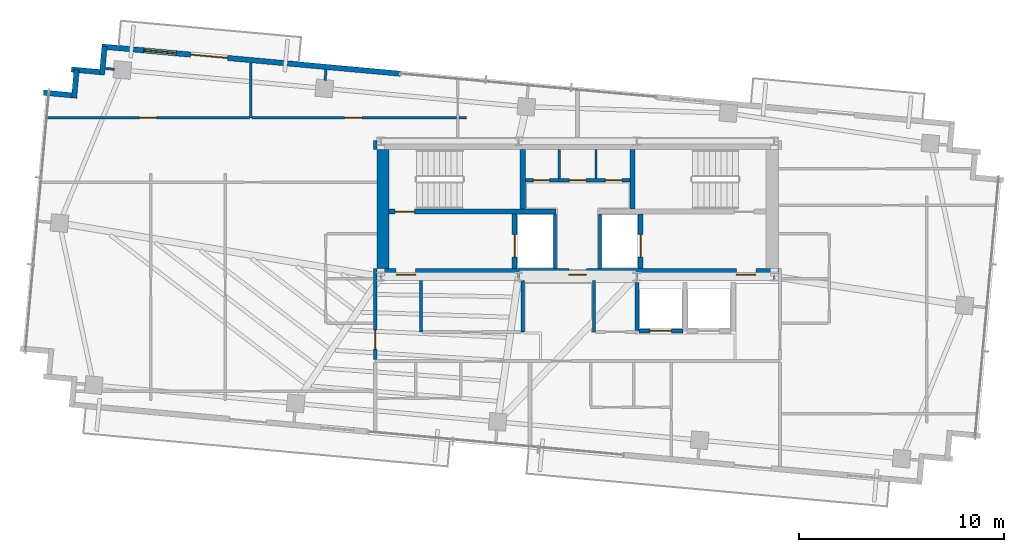
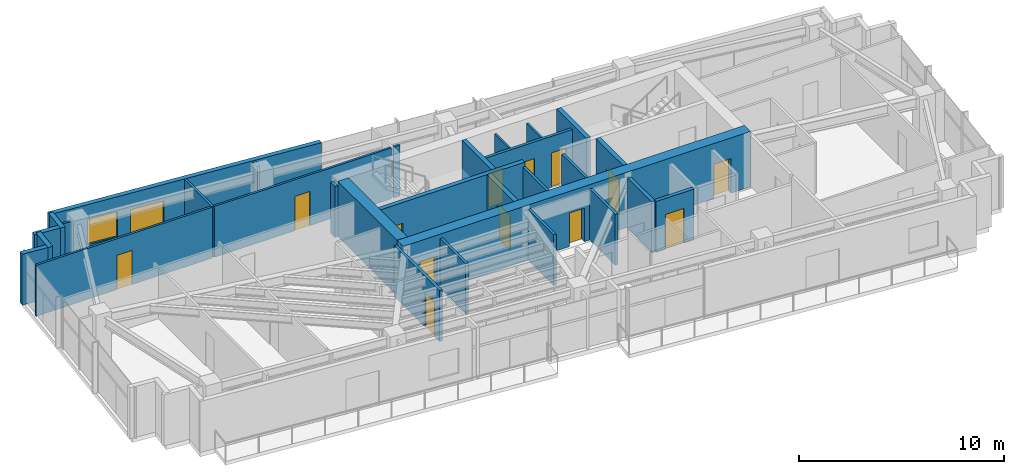
# One storey, part 17 of 22: 30 walls, 14 doors, 1 window, 15 openings.
"""IFC4 building model written with IfcOpenShell, lengths in metres."""

from ifc_helpers import new_model, si_unit, direction, frame, frame_2d, origin, place, context, subcontext, project, spatial, rectangle, extrude, source, transform, mapped, material, layer, layer_set, type_object, type_shapes, element, fill, save


model = new_model("IFC4")

# Units and contexts
model_context = context("Model", 3, precision=1e-05, world=origin(), true_north=direction((0.0, 1.0)))
body_context = subcontext(model_context, "Body", "Model", "MODEL_VIEW")
ifc_project = project(units=[si_unit("LENGTHUNIT", "METRE"), si_unit("AREAUNIT", "SQUARE_METRE"), si_unit("VOLUMEUNIT", "CUBIC_METRE"), si_unit("PLANEANGLEUNIT", "RADIAN"), si_unit("MASSUNIT", "GRAM", prefix="KILO")], contexts=[model_context])

# Site, building, storey
site_placement = place(None, origin())
site = spatial("IfcSite", under=ifc_project, at=site_placement, CompositionType="ELEMENT")
building_placement = place(site_placement, origin())
building = spatial("IfcBuilding", under=site, at=building_placement, Name="Astriad Promenade Condominiums", CompositionType="ELEMENT")
storey_placement = place(building_placement, frame((0.0, 0.0, 219.89990234375)))
storey = spatial("IfcBuildingStorey", under=building, at=storey_placement, Name="L63", CompositionType="ELEMENT", Elevation=219.89990234375)

# Wall, openings, doors
ifc_material_1 = material(Name="Concrete C50/60", Category="concrete")
ifc_layer_1 = layer(ifc_material_1, 0.60009765625)
ifc_layer_set_1 = layer_set([ifc_layer_1], Name="Concrete C50/60")
wall_type_1 = type_object("IfcWallType", Name="CW-SHEAR-600", PredefinedType="SHEAR", material=ifc_layer_set_1)
wall_1_placement = place(storey_placement, frame((26.199951171875, 17.5, 0.0), z_axis=(0.0, 0.0, 1.0), x_axis=(1.0, 0.0, 0.0)))
wall_1 = element("IfcWall", 1, at=wall_1_placement, inside=storey, type_object=wall_type_1, Name="CW-CORE-S-L63", PredefinedType="SHEAR", context=body_context, shape_type="SweptSolid", body=[
    extrude(rectangle(XDim=19.60009765625, YDim=0.60009765625, at=frame_2d((9.800048828125, 0.0))), origin(), (0.0, 0.0, 1.0), 3.300048828125),
])
opening_1_placement = place(wall_1_placement, frame((0.949951171875, 0.0, 0.0)))
opening_1 = element("IfcOpeningElement", 2, at=opening_1_placement, cuts=wall_1, Name="Opening FD90-ST-095", PredefinedType="OPENING", context=body_context, shape_type="SweptSolid", body=[
    extrude(rectangle(XDim=0.949951171875, YDim=2.06005859375, at=frame_2d((0.47509765625, 1.030029296875))), frame((0.0, 0.31005859375, 0.0), z_axis=(0.0, -1.0, 0.0), x_axis=(1.0, 0.0, 0.0)), (0.0, 0.0, 1.0), 0.6201171875),
])
opening_2_placement = place(wall_1_placement, frame((9.3798828125, 0.0, 0.0)))
opening_2 = element("IfcOpeningElement", 3, at=opening_2_placement, cuts=wall_1, Name="Opening FD60-ULOW-085", PredefinedType="OPENING", context=body_context, shape_type="SweptSolid", body=[
    extrude(rectangle(XDim=0.85009765625, YDim=2.0, at=frame_2d((0.425048828125, 1.0))), frame((0.0, 0.31005859375, 0.0), z_axis=(0.0, -1.0, 0.0), x_axis=(1.0, 0.0, 0.0)), (0.0, 0.0, 1.0), 0.6201171875),
])
opening_3_placement = place(wall_1_placement, frame((17.550048828125, 0.0, 0.0)))
opening_3 = element("IfcOpeningElement", 4, at=opening_3_placement, cuts=wall_1, Name="Opening FD90-ST-095", PredefinedType="OPENING", context=body_context, shape_type="SweptSolid", body=[
    extrude(rectangle(XDim=0.949951171875, YDim=2.06005859375, at=frame_2d((0.47509765625, 1.030029296875))), frame((0.0, 0.31005859375, 0.0), z_axis=(0.0, -1.0, 0.0), x_axis=(1.0, 0.0, 0.0)), (0.0, 0.0, 1.0), 0.6201171875),
])
ifc_material_2 = material(Name="Fire-Rated Hollow Metal Stair Door")
door_type_1 = type_object("IfcDoorType", Name="FD90-ST-095", OperationType="NOTDEFINED", PredefinedType="DOOR", material=ifc_material_2)
shared_shape_1 = source(origin(), body_context, "Body", "SweptSolid", [
    extrude(rectangle(XDim=0.949951171875, YDim=2.06005859375, at=frame_2d((0.47509765625, 1.030029296875))), frame((0.0, 0.02490234375, 0.0), z_axis=(0.0, -1.0, 0.0), x_axis=(1.0, 0.0, 0.0)), (0.0, 0.0, 1.0), 0.050048828125),
])
type_shapes(door_type_1, [shared_shape_1])
door_1_placement = place(opening_1_placement, origin())
door_1 = element("IfcDoor", 5, at=door_1_placement, inside=storey, type_object=door_type_1, Name="D-FFW-L63", OperationType="SINGLE_SWING_LEFT", OverallHeight=2.06005859375, OverallWidth=0.949951171875, PredefinedType="DOOR", context=body_context, shape_type="MappedRepresentation", body=[
    mapped(shared_shape_1, transform((0.0, 0.0, 0.0), scale=1.0)),
])
fill(opening_1, door_1)
door_2_placement = place(opening_3_placement, origin())
door_2 = element("IfcDoor", 6, at=door_2_placement, inside=storey, type_object=door_type_1, Name="D-FFE-L63", OperationType="SINGLE_SWING_RIGHT", OverallHeight=2.06005859375, OverallWidth=0.949951171875, PredefinedType="DOOR", context=body_context, shape_type="MappedRepresentation", body=[
    mapped(shared_shape_1, transform((0.0, 0.0, 0.0), scale=1.0)),
])
fill(opening_3, door_2)
ifc_material_3 = material(Name="Solid-Core Low-Headroom Fire Door")
door_type_2 = type_object("IfcDoorType", Name="FD60-ULOW-085", OperationType="NOTDEFINED", PredefinedType="DOOR", material=ifc_material_3)
shared_shape_2 = source(origin(), body_context, "Body", "SweptSolid", [
    extrude(rectangle(XDim=0.85009765625, YDim=2.0, at=frame_2d((0.425048828125, 1.0))), frame((0.0, 0.02490234375, 0.0), z_axis=(0.0, -1.0, 0.0), x_axis=(1.0, 0.0, 0.0)), (0.0, 0.0, 1.0), 0.050048828125),
])
type_shapes(door_type_2, [shared_shape_2])
door_3_placement = place(opening_2_placement, origin())
door_3 = element("IfcDoor", 7, at=door_3_placement, inside=storey, type_object=door_type_2, Name="D-CSL-L63", OperationType="SINGLE_SWING_RIGHT", OverallHeight=2.0, OverallWidth=0.85009765625, PredefinedType="DOOR", context=body_context, shape_type="MappedRepresentation", body=[
    mapped(shared_shape_2, transform((0.0, 0.0, 0.0), scale=1.0)),
])
fill(opening_2, door_3)

# Wall
wall_2_placement = place(storey_placement, frame((26.5, 17.802001953125, 0.0), z_axis=(0.0, 0.0, 1.0), x_axis=(0.0, 1.0, 0.0)))
element("IfcWall", 8, at=wall_2_placement, inside=storey, type_object=wall_type_1, Name="CW-CORE-W-L63", PredefinedType="SHEAR", context=body_context, shape_type="SweptSolid", body=[
    extrude(rectangle(XDim=5.7958984375, YDim=0.60009765625, at=frame_2d((2.89794921875, 0.0))), origin(), (0.0, 0.0, 1.0), 3.300048828125),
])

# Wall, opening, door
ifc_layer_2 = layer(ifc_material_1, 0.25)
ifc_layer_set_2 = layer_set([ifc_layer_2], Name="Concrete C50/60")
wall_type_2 = type_object("IfcWallType", Name="WALL-CORE-INT-250", PredefinedType="SOLIDWALL", material=ifc_layer_set_2)
wall_3_placement = place(storey_placement, frame((26.802001953125, 20.574951171875, 0.0), z_axis=(0.0, 0.0, 1.0), x_axis=(1.0, 0.0, 0.0)))
wall_3 = element("IfcWall", 9, at=wall_3_placement, inside=storey, type_object=wall_type_2, Name="CW-INT-H1-L63", PredefinedType="SOLIDWALL", context=body_context, shape_type="SweptSolid", body=[
    extrude(rectangle(XDim=8.14794921875, YDim=0.25, at=frame_2d((4.073974609375, 0.0))), origin(), (0.0, 0.0, 1.0), 3.300048828125),
])
opening_4_placement = place(wall_3_placement, frame((0.298095703125, 0.0, 0.0)))
opening_4 = element("IfcOpeningElement", 10, at=opening_4_placement, cuts=wall_3, Name="Opening FD90-ST-095", PredefinedType="OPENING", context=body_context, shape_type="SweptSolid", body=[
    extrude(rectangle(XDim=0.949951171875, YDim=2.06005859375, at=frame_2d((0.47509765625, 1.030029296875))), frame((0.0, 0.135009765625, 0.0), z_axis=(0.0, -1.0, 0.0), x_axis=(1.0, 0.0, 0.0)), (0.0, 0.0, 1.0), 0.27001953125),
])
door_4_placement = place(opening_4_placement, origin())
door_4 = element("IfcDoor", 11, at=door_4_placement, inside=storey, type_object=door_type_1, Name="D-ST1-L63", OperationType="SINGLE_SWING_LEFT", OverallHeight=2.06005859375, OverallWidth=0.949951171875, PredefinedType="DOOR", context=body_context, shape_type="MappedRepresentation", body=[
    mapped(shared_shape_1, transform((0.0, 0.0, 0.0), scale=1.0)),
])
fill(opening_4, door_4)

# Walls
for number, where, z_axis, x_axis, name in (
    (12, (33.324951171875, 20.701904296875, 0.0), (0.0, 0.0, 1.0), (0.0, 1.0, 0.0), "CW-ST1-E-L63"),
    (13, (38.675048828125, 20.701904296875, 0.0), (0.0, 0.0, 1.0), (0.0, 1.0, 0.0), "CW-ST2-W-L63"),
):
    element("IfcWall", number, at=place(storey_placement, frame(where, z_axis=z_axis, x_axis=x_axis)), inside=storey, type_object=wall_type_2, Name=name, PredefinedType="SOLIDWALL", context=body_context, shape_type="SweptSolid", body=[
        extrude(rectangle(XDim=2.89599609375, YDim=0.25, at=frame_2d((1.447998046875, 0.0))), origin(), (0.0, 0.0, 1.0), 3.300048828125),
    ])

# Wall, opening, door
wall_4_placement = place(storey_placement, frame((32.925048828125, 17.802001953125, 0.0), z_axis=(0.0, 0.0, 1.0), x_axis=(0.0, 1.0, 0.0)))
wall_4 = element("IfcWall", 14, at=wall_4_placement, inside=storey, type_object=wall_type_2, Name="CW-FFL1-W-L63", PredefinedType="SOLIDWALL", context=body_context, shape_type="SweptSolid", body=[
    extrude(rectangle(XDim=2.64599609375, YDim=0.25, at=frame_2d((1.322998046875, 0.0))), origin(), (0.0, 0.0, 1.0), 3.300048828125),
])
opening_5_placement = place(wall_4_placement, frame((0.548095703125, 0.0, 0.0)))
opening_5 = element("IfcOpeningElement", 15, at=opening_5_placement, cuts=wall_4, Name="Opening LD-FFL-1122", PredefinedType="OPENING", context=body_context, shape_type="SweptSolid", body=[
    extrude(rectangle(XDim=1.10009765625, YDim=2.080078125, at=frame_2d((0.550048828125, 1.0400390625))), frame((0.0, 0.135009765625, 0.0), z_axis=(0.0, -1.0, 0.0), x_axis=(1.0, 0.0, 0.0)), (0.0, 0.0, 1.0), 0.27001953125),
])
ifc_material_4 = material(Name="Brushed Stainless Steel Fire Elevator Landing Door", Category="steel")
door_type_3 = type_object("IfcDoorType", Name="LD-FFL-1122", OperationType="NOTDEFINED", PredefinedType="DOOR", material=ifc_material_4)
shared_shape_3 = source(origin(), body_context, "Body", "SweptSolid", [
    extrude(rectangle(XDim=1.10009765625, YDim=2.080078125, at=frame_2d((0.550048828125, 1.0400390625))), frame((0.0, 0.02490234375, 0.0), z_axis=(0.0, -1.0, 0.0), x_axis=(1.0, 0.0, 0.0)), (0.0, 0.0, 1.0), 0.050048828125),
])
type_shapes(door_type_3, [shared_shape_3])
door_5_placement = place(opening_5_placement, origin())
door_5 = element("IfcDoor", 16, at=door_5_placement, inside=storey, type_object=door_type_3, Name="Elevator Landing Door FFL-1 (L63)", OperationType="SLIDING_TO_LEFT", OverallHeight=2.080078125, OverallWidth=1.10009765625, PredefinedType="DOOR", context=body_context, shape_type="MappedRepresentation", body=[
    mapped(shared_shape_3, transform((0.0, 0.0, 0.0), scale=1.0)),
])
fill(opening_5, door_5)

wall_5_placement = place(storey_placement, frame((39.074951171875, 17.802001953125, 0.0), z_axis=(0.0, 0.0, 1.0), x_axis=(0.0, 1.0, 0.0)))
wall_5 = element("IfcWall", 17, at=wall_5_placement, inside=storey, type_object=wall_type_2, Name="CW-FFL2-E-L63", PredefinedType="SOLIDWALL", context=body_context, shape_type="SweptSolid", body=[
    extrude(rectangle(XDim=2.64599609375, YDim=0.25, at=frame_2d((1.322998046875, 0.0))), origin(), (0.0, 0.0, 1.0), 3.300048828125),
])
opening_6_placement = place(wall_5_placement, frame((0.548095703125, 0.0, 0.0)))
opening_6 = element("IfcOpeningElement", 18, at=opening_6_placement, cuts=wall_5, Name="Opening LD-FFL-1122", PredefinedType="OPENING", context=body_context, shape_type="SweptSolid", body=[
    extrude(rectangle(XDim=1.10009765625, YDim=2.080078125, at=frame_2d((0.550048828125, 1.0400390625))), frame((0.0, 0.135009765625, 0.0), z_axis=(0.0, -1.0, 0.0), x_axis=(1.0, 0.0, 0.0)), (0.0, 0.0, 1.0), 0.27001953125),
])
door_6_placement = place(opening_6_placement, origin())
door_6 = element("IfcDoor", 19, at=door_6_placement, inside=storey, type_object=door_type_3, Name="Elevator Landing Door FFL-2 (L63)", OperationType="SLIDING_TO_RIGHT", OverallHeight=2.080078125, OverallWidth=1.10009765625, PredefinedType="DOOR", context=body_context, shape_type="MappedRepresentation", body=[
    mapped(shared_shape_3, transform((0.0, 0.0, 0.0), scale=1.0)),
])
fill(opening_6, door_6)

# Walls
ifc_material_5 = material(Name="Fire-Rated Gypsum Partition")
ifc_layer_3 = layer(ifc_material_5, 0.159912109375)
ifc_layer_set_3 = layer_set([ifc_layer_3], Name="Fire-Rated Gypsum Partition")
wall_type_3 = type_object("IfcWallType", Name="WALL-CORR-160", PredefinedType="PARTITIONING", material=ifc_layer_set_3)
for number, where, z_axis, x_axis, name in (
    (20, (34.89990234375, 17.802001953125, 0.0), (0.0, 0.0, 1.0), (0.0, 1.0, 0.0), "CW-FFL1-E-L63"),
    (21, (37.10009765625, 17.802001953125, 0.0), (0.0, 0.0, 1.0), (0.0, 1.0, 0.0), "CW-FFL2-W-L63"),
):
    element("IfcWall", number, at=place(storey_placement, frame(where, z_axis=z_axis, x_axis=x_axis)), inside=storey, type_object=wall_type_3, Name=name, PredefinedType="PARTITIONING", context=body_context, shape_type="SweptSolid", body=[
        extrude(rectangle(XDim=2.64599609375, YDim=0.159912109375, at=frame_2d((1.322998046875, 0.0))), origin(), (0.0, 0.0, 1.0), 3.0400390625),
    ])

# Wall, openings, doors
wall_6_placement = place(storey_placement, frame((33.451904296875, 22.10009765625, 0.0), z_axis=(0.0, 0.0, 1.0), x_axis=(1.0, 0.0, 0.0)))
wall_6 = element("IfcWall", 22, at=wall_6_placement, inside=storey, type_object=wall_type_3, Name="CW-AUX-N-L63", PredefinedType="PARTITIONING", context=body_context, shape_type="SweptSolid", body=[
    extrude(rectangle(XDim=5.09619140625, YDim=0.159912109375, at=frame_2d((2.548095703125, 0.0))), origin(), (0.0, 0.0, 1.0), 3.0400390625),
])
opening_7_placement = place(wall_6_placement, frame((0.387939453125, 0.0, 0.0)))
opening_7 = element("IfcOpeningElement", 23, at=opening_7_placement, cuts=wall_6, Name="Opening FD60-SV-080", PredefinedType="OPENING", context=body_context, shape_type="SweptSolid", body=[
    extrude(rectangle(XDim=0.800048828125, YDim=2.050048828125, at=frame_2d((0.39990234375, 1.02490234375))), frame((0.0, 0.08984375, 0.0), z_axis=(0.0, -1.0, 0.0), x_axis=(1.0, 0.0, 0.0)), (0.0, 0.0, 1.0), 0.179931640625),
])
opening_8_placement = place(wall_6_placement, frame((2.14794921875, 0.0, 0.0)))
opening_8 = element("IfcOpeningElement", 24, at=opening_8_placement, cuts=wall_6, Name="Opening FD60-SV-080", PredefinedType="OPENING", context=body_context, shape_type="SweptSolid", body=[
    extrude(rectangle(XDim=0.800048828125, YDim=2.050048828125, at=frame_2d((0.39990234375, 1.02490234375))), frame((0.0, 0.08984375, 0.0), z_axis=(0.0, -1.0, 0.0), x_axis=(1.0, 0.0, 0.0)), (0.0, 0.0, 1.0), 0.179931640625),
])
opening_9_placement = place(wall_6_placement, frame((3.907958984375, 0.0, 0.0)))
opening_9 = element("IfcOpeningElement", 25, at=opening_9_placement, cuts=wall_6, Name="Opening FD60-SV-080", PredefinedType="OPENING", context=body_context, shape_type="SweptSolid", body=[
    extrude(rectangle(XDim=0.800048828125, YDim=2.050048828125, at=frame_2d((0.39990234375, 1.02490234375))), frame((0.0, 0.08984375, 0.0), z_axis=(0.0, -1.0, 0.0), x_axis=(1.0, 0.0, 0.0)), (0.0, 0.0, 1.0), 0.179931640625),
])
ifc_material_6 = material(Name="Fire-Rated Riser Closet Door")
door_type_4 = type_object("IfcDoorType", Name="FD60-SV-080", OperationType="NOTDEFINED", PredefinedType="DOOR", material=ifc_material_6)
shared_shape_4 = source(origin(), body_context, "Body", "SweptSolid", [
    extrude(rectangle(XDim=0.800048828125, YDim=2.050048828125, at=frame_2d((0.39990234375, 1.02490234375))), frame((0.0, 0.02490234375, 0.0), z_axis=(0.0, -1.0, 0.0), x_axis=(1.0, 0.0, 0.0)), (0.0, 0.0, 1.0), 0.050048828125),
])
type_shapes(door_type_4, [shared_shape_4])
door_7_placement = place(opening_7_placement, origin())
door_7 = element("IfcDoor", 26, at=door_7_placement, inside=storey, type_object=door_type_4, Name="D-AUX1-L63", OperationType="SINGLE_SWING_LEFT", OverallHeight=2.050048828125, OverallWidth=0.800048828125, PredefinedType="DOOR", context=body_context, shape_type="MappedRepresentation", body=[
    mapped(shared_shape_4, transform((0.0, 0.0, 0.0), scale=1.0)),
])
fill(opening_7, door_7)
door_8_placement = place(opening_8_placement, origin())
door_8 = element("IfcDoor", 27, at=door_8_placement, inside=storey, type_object=door_type_4, Name="D-AUX2-L63", OperationType="SINGLE_SWING_RIGHT", OverallHeight=2.050048828125, OverallWidth=0.800048828125, PredefinedType="DOOR", context=body_context, shape_type="MappedRepresentation", body=[
    mapped(shared_shape_4, transform((0.0, 0.0, 0.0), scale=1.0)),
])
fill(opening_8, door_8)
door_9_placement = place(opening_9_placement, origin())
door_9 = element("IfcDoor", 28, at=door_9_placement, inside=storey, type_object=door_type_4, Name="D-AUX3-L63", OperationType="SINGLE_SWING_LEFT", OverallHeight=2.050048828125, OverallWidth=0.800048828125, PredefinedType="DOOR", context=body_context, shape_type="MappedRepresentation", body=[
    mapped(shared_shape_4, transform((0.0, 0.0, 0.0), scale=1.0)),
])
fill(opening_9, door_9)

# Wall, opening, door
wall_7_placement = place(storey_placement, frame((26.1201171875, 13.362060546875, 0.0), z_axis=(0.0, 0.0, 1.0), x_axis=(0.0, 1.0, 0.0)))
wall_7 = element("IfcWall", 29, at=wall_7_placement, inside=storey, type_object=wall_type_3, Name="PT-COR-W-L63-S2", PredefinedType="PARTITIONING", context=body_context, shape_type="SweptSolid", body=[
    extrude(rectangle(XDim=4.43994140625, YDim=0.159912109375, at=frame_2d((2.219970703125, 0.0))), origin(), (0.0, 0.0, 1.0), 3.0400390625),
])
opening_10_placement = place(wall_7_placement, frame((0.492919921875, 0.0, 0.0)))
opening_10 = element("IfcOpeningElement", 30, at=opening_10_placement, cuts=wall_7, Name="Opening FD60-APT-095", PredefinedType="OPENING", context=body_context, shape_type="SweptSolid", body=[
    extrude(rectangle(XDim=0.949951171875, YDim=2.06005859375, at=frame_2d((0.47509765625, 1.030029296875))), frame((0.0, 0.08984375, 0.0), z_axis=(0.0, -1.0, 0.0), x_axis=(1.0, 0.0, 0.0)), (0.0, 0.0, 1.0), 0.179931640625),
])
ifc_material_7 = material(Name="Solid-Core Acoustic Timber Residence Entry Door", Category="wood")
door_type_5 = type_object("IfcDoorType", Name="FD60-APT-095", OperationType="NOTDEFINED", PredefinedType="DOOR", material=ifc_material_7)
shared_shape_5 = source(origin(), body_context, "Body", "SweptSolid", [
    extrude(rectangle(XDim=0.949951171875, YDim=2.06005859375, at=frame_2d((0.47509765625, 1.030029296875))), frame((0.0, 0.02490234375, 0.0), z_axis=(0.0, -1.0, 0.0), x_axis=(1.0, 0.0, 0.0)), (0.0, 0.0, 1.0), 0.050048828125),
])
type_shapes(door_type_5, [shared_shape_5])
door_10_placement = place(opening_10_placement, origin())
door_10 = element("IfcDoor", 31, at=door_10_placement, inside=storey, type_object=door_type_5, Name="D-ENT-L63-W1", OperationType="SINGLE_SWING_LEFT", OverallHeight=2.06005859375, OverallWidth=0.949951171875, PredefinedType="DOOR", context=body_context, shape_type="MappedRepresentation", body=[
    mapped(shared_shape_5, transform((0.0, 0.0, 0.0), scale=1.0)),
])
fill(opening_10, door_10)

# Walls
wall_8_placement = place(storey_placement, frame((26.1201171875, 23.597900390625, 0.0), z_axis=(0.0, 0.0, 1.0), x_axis=(0.0, 1.0, 0.0)))
element("IfcWall", 32, at=wall_8_placement, inside=storey, type_object=wall_type_3, Name="PT-COR-W-L63-S3", PredefinedType="PARTITIONING", context=body_context, shape_type="SweptSolid", body=[
    extrude(rectangle(XDim=0.4521484375, YDim=0.159912109375, at=frame_2d((0.22607421875, 0.0))), origin(), (0.0, 0.0, 1.0), 3.0400390625),
])
for number, where, z_axis, x_axis, name in (
    (33, (28.360107421875, 14.699951171875, 0.0), (0.0, 0.0, 1.0), (0.0, 1.0, 0.0), "PT-Z3REC-W-L63"),
    (34, (33.320068359375, 14.699951171875, 0.0), (0.0, 0.0, 1.0), (0.0, 1.0, 0.0), "PT-Z3REC-E-L63"),
    (35, (36.800048828125, 14.699951171875, 0.0), (0.0, 0.0, 1.0), (0.0, 1.0, 0.0), "PT-Z3R2-W-L63"),
):
    element("IfcWall", number, at=place(storey_placement, frame(where, z_axis=z_axis, x_axis=x_axis)), inside=storey, type_object=wall_type_3, Name=name, PredefinedType="PARTITIONING", context=body_context, shape_type="SweptSolid", body=[
        extrude(rectangle(XDim=2.498046875, YDim=0.159912109375, at=frame_2d((1.2490234375, 0.0))), origin(), (0.0, 0.0, 1.0), 3.0400390625),
    ])
ifc_material_8 = material(Name="Precast concrete C50/60", Category="concrete")
ifc_layer_4 = layer(ifc_material_8, 0.260009765625)
ifc_layer_set_4 = layer_set([ifc_layer_4], Name="Precast concrete C50/60")
wall_type_4 = type_object("IfcWallType", Name="WALL-EXT-TWR-260", PredefinedType="STANDARD", material=ifc_layer_set_4)
for number, where, z_axis, x_axis, name in (
    (36, (9.93505859375, 26.376708984375, 0.0), (0.0, 0.0, 1.0), (0.995881721538, -0.090661991521, 0.0), "W-SER-L63-04"),
    (37, (11.427001953125, 26.110595703125, 0.0), (0.0, 0.0, 1.0), (0.090835571917, 0.995865904063, 0.0), "W-SER-L63-05"),
):
    element("IfcWall", number, at=place(storey_placement, frame(where, z_axis=z_axis, x_axis=x_axis)), inside=storey, type_object=wall_type_4, Name=name, PredefinedType="STANDARD", context=body_context, shape_type="SweptSolid", body=[
        extrude(rectangle(XDim=1.39501953125, YDim=0.260009765625, at=frame_2d((0.697509765625, 0.0))), origin(), (0.0, 0.0, 1.0), 3.0400390625),
    ])
wall_9_placement = place(storey_placement, frame((11.293212890625, 27.50830078125, 0.0), z_axis=(0.0, 0.0, 1.0), x_axis=(0.995883159782, -0.090646191665, 0.0)))
element("IfcWall", 38, at=wall_9_placement, inside=storey, type_object=wall_type_4, Name="W-SER-L63-06", PredefinedType="STANDARD", context=body_context, shape_type="SweptSolid", body=[
    extrude(rectangle(XDim=1.395263671875, YDim=0.260009765625, at=frame_2d((0.69775390625, 0.0))), origin(), (0.0, 0.0, 1.0), 3.0400390625),
])
wall_10_placement = place(storey_placement, frame((12.785400390625, 27.241943359375, 0.0), z_axis=(0.0, 0.0, 1.0), x_axis=(0.090472632758, 0.995898942023, 0.0)))
element("IfcWall", 39, at=wall_10_placement, inside=storey, type_object=wall_type_4, Name="W-SER-L63-07", PredefinedType="STANDARD", context=body_context, shape_type="SweptSolid", body=[
    extrude(rectangle(XDim=1.39501953125, YDim=0.260009765625, at=frame_2d((0.697509765625, 0.0))), origin(), (0.0, 0.0, 1.0), 3.0400390625),
])

# Wall, openings, door, window
wall_11_placement = place(storey_placement, frame((12.78076171875, 28.628173828125, 0.0), z_axis=(0.0, 0.0, 1.0), x_axis=(0.995884584572, -0.090630536861, 0.0)))
wall_11 = element("IfcWall", 40, at=wall_11_placement, inside=storey, type_object=wall_type_4, Name="W-EXT-L63-N1", PredefinedType="STANDARD", context=body_context, shape_type="SweptSolid", body=[
    extrude(rectangle(XDim=14.630126953125, YDim=0.260009765625, at=frame_2d((7.31494140625, 0.0))), origin(), (0.0, 0.0, 1.0), 3.0400390625),
])
opening_11_placement = place(wall_11_placement, frame((4.361083984375, 0.0, 0.0)))
opening_11 = element("IfcOpeningElement", 41, at=opening_11_placement, cuts=wall_11, Name="Opening BD-1822-SLD", PredefinedType="OPENING", context=body_context, shape_type="SweptSolid", body=[
    extrude(rectangle(XDim=1.800048828125, YDim=2.06005859375, at=frame_2d((0.89990234375, 1.030029296875))), frame((0.0, 0.139892578125, 0.0), z_axis=(0.0, -1.0, 0.0), x_axis=(1.0, 0.0, 0.0)), (0.0, 0.0, 1.0), 0.280029296875),
])
opening_12_placement = place(wall_11_placement, frame((2.050048828125, 0.0, 0.64990234375)))
opening_12 = element("IfcOpeningElement", 42, at=opening_12_placement, cuts=wall_11, Name="Opening WIN-TWR-1620", PredefinedType="OPENING", context=body_context, shape_type="SweptSolid", body=[
    extrude(rectangle(XDim=1.60009765625, YDim=1.5, at=frame_2d((0.800048828125, 0.75))), frame((0.0, 0.139892578125, 0.0), z_axis=(0.0, -1.0, 0.0), x_axis=(1.0, 0.0, 0.0)), (0.0, 0.0, 1.0), 0.280029296875),
])
ifc_material_9 = material(Name="Thermally Broken Aluminium Sliding Balcony Door", Category="aluminium")
door_type_6 = type_object("IfcDoorType", Name="BD-1822-SLD", OperationType="NOTDEFINED", PredefinedType="DOOR", material=ifc_material_9)
shared_shape_6 = source(origin(), body_context, "Body", "SweptSolid", [
    extrude(rectangle(XDim=1.800048828125, YDim=2.06005859375, at=frame_2d((0.89990234375, 1.030029296875))), frame((0.0, 0.02490234375, 0.0), z_axis=(0.0, -1.0, 0.0), x_axis=(1.0, 0.0, 0.0)), (0.0, 0.0, 1.0), 0.050048828125),
])
type_shapes(door_type_6, [shared_shape_6])
door_11_placement = place(opening_11_placement, origin())
door_11 = element("IfcDoor", 43, at=door_11_placement, inside=storey, type_object=door_type_6, Name="BD-L63-NW", OperationType="SLIDING_TO_LEFT", OverallHeight=2.06005859375, OverallWidth=1.800048828125, PredefinedType="DOOR", context=body_context, shape_type="MappedRepresentation", body=[
    mapped(shared_shape_6, transform((0.0, 0.0, 0.0), scale=1.0)),
])
fill(opening_11, door_11)
ifc_material_10 = material(Name="Dark Tinted Triple-Glazed Aluminium Window", Category="aluminium")
window_type = type_object("IfcWindowType", Name="WIN-TWR-1620", PartitioningType="SINGLE_PANEL", PredefinedType="WINDOW", material=ifc_material_10)
shared_shape_7 = source(origin(), body_context, "Body", "SweptSolid", [
    extrude(rectangle(XDim=1.60009765625, YDim=1.5, at=frame_2d((0.800048828125, 0.75))), frame((0.0, 0.030029296875, 0.0), z_axis=(0.0, -1.0, 0.0), x_axis=(1.0, 0.0, 0.0)), (0.0, 0.0, 1.0), 0.06005859375),
])
type_shapes(window_type, [shared_shape_7])
window_placement = place(opening_12_placement, origin())
window = element("IfcWindow", 44, at=window_placement, inside=storey, type_object=window_type, Name="WIN-L63-NW", OverallHeight=1.5, OverallWidth=1.60009765625, PartitioningType="SINGLE_PANEL", PredefinedType="WINDOW", context=body_context, shape_type="MappedRepresentation", body=[
    mapped(shared_shape_7, transform((0.0, 0.0, 0.0), scale=1.0)),
])
fill(opening_12, window)

# Walls
ifc_material_11 = material(Name="Acoustic Metal-Stud Gypsum Partition")
ifc_layer_5 = layer(ifc_material_11, 0.1201171875)
ifc_layer_set_5 = layer_set([ifc_layer_5], Name="Acoustic Metal-Stud Gypsum Partition")
wall_type_5 = type_object("IfcWallType", Name="WALL-PART-120", PredefinedType="PARTITIONING", material=ifc_layer_set_5)
for number, where, z_axis, x_axis, name in (
    (45, (35.10009765625, 22.181884765625, 0.0), (0.0, 0.0, 1.0), (0.0, 1.0, 0.0), "CW-AUX-V1-L63"),
    (46, (36.89990234375, 22.181884765625, 0.0), (0.0, 0.0, 1.0), (0.0, 1.0, 0.0), "CW-AUX-V2-L63"),
):
    element("IfcWall", number, at=place(storey_placement, frame(where, z_axis=z_axis, x_axis=x_axis)), inside=storey, type_object=wall_type_5, Name=name, PredefinedType="PARTITIONING", context=body_context, shape_type="SweptSolid", body=[
        extrude(rectangle(XDim=1.416015625, YDim=0.1201171875, at=frame_2d((0.7080078125, 0.0))), origin(), (0.0, 0.0, 1.0), 3.0400390625),
    ])
wall_12_placement = place(storey_placement, frame((20.044921875, 25.14208984375, 0.0), z_axis=(0.0, 0.0, 1.0), x_axis=(0.0, 1.0, 0.0)))
element("IfcWall", 47, at=wall_12_placement, inside=storey, type_object=wall_type_5, Name="PT-L63-W1-B1M", PredefinedType="PARTITIONING", context=body_context, shape_type="SweptSolid", body=[
    extrude(rectangle(XDim=2.6923828125, YDim=0.1201171875, at=frame_2d((1.34619140625, 0.0))), origin(), (0.0, 0.0, 1.0), 3.0400390625),
])

# Wall, opening, door
wall_13_placement = place(storey_placement, frame((10.03369140625, 25.14208984375, 0.0), z_axis=(0.0, 0.0, 1.0), x_axis=(1.0, 0.0, 0.0)))
wall_13 = element("IfcWall", 48, at=wall_13_placement, inside=storey, type_object=wall_type_5, Name="PT-L63-W1-B1", PredefinedType="PARTITIONING", context=body_context, shape_type="SweptSolid", body=[
    extrude(rectangle(XDim=9.94921875, YDim=0.1201171875, at=frame_2d((4.974609375, 0.0))), origin(), (0.0, 0.0, 1.0), 3.0400390625),
])
opening_13_placement = place(wall_13_placement, frame((4.573486328125, 0.0, 0.0)))
opening_13 = element("IfcOpeningElement", 49, at=opening_13_placement, cuts=wall_13, Name="Opening D-INT-085", PredefinedType="OPENING", context=body_context, shape_type="SweptSolid", body=[
    extrude(rectangle(XDim=0.85009765625, YDim=2.050048828125, at=frame_2d((0.425048828125, 1.02490234375))), frame((0.0, 0.070068359375, 0.0), z_axis=(0.0, -1.0, 0.0), x_axis=(1.0, 0.0, 0.0)), (0.0, 0.0, 1.0), 0.14013671875),
])
ifc_material_12 = material(Name="Painted Solid-Core Timber Room Door", Category="wood")
door_type_7 = type_object("IfcDoorType", Name="D-INT-085", OperationType="NOTDEFINED", PredefinedType="DOOR", material=ifc_material_12)
shared_shape_8 = source(origin(), body_context, "Body", "SweptSolid", [
    extrude(rectangle(XDim=0.85009765625, YDim=2.050048828125, at=frame_2d((0.425048828125, 1.02490234375))), frame((0.0, 0.02490234375, 0.0), z_axis=(0.0, -1.0, 0.0), x_axis=(1.0, 0.0, 0.0)), (0.0, 0.0, 1.0), 0.050048828125),
])
type_shapes(door_type_7, [shared_shape_8])
door_12_placement = place(opening_13_placement, origin())
door_12 = element("IfcDoor", 50, at=door_12_placement, inside=storey, type_object=door_type_7, Name="D-BD1-L63-W1", OperationType="SINGLE_SWING_LEFT", OverallHeight=2.050048828125, OverallWidth=0.85009765625, PredefinedType="DOOR", context=body_context, shape_type="MappedRepresentation", body=[
    mapped(shared_shape_8, transform((0.0, 0.0, 0.0), scale=1.0)),
])
fill(opening_13, door_12)

wall_14_placement = place(storey_placement, frame((20.10693359375, 25.14208984375, 0.0), z_axis=(0.0, 0.0, 1.0), x_axis=(1.0, 0.0, 0.0)))
wall_14 = element("IfcWall", 51, at=wall_14_placement, inside=storey, type_object=wall_type_5, Name="PT-L63-W1-B1-S2", PredefinedType="PARTITIONING", context=body_context, shape_type="SweptSolid", body=[
    extrude(rectangle(XDim=9.98095703125, YDim=0.1201171875, at=frame_2d((4.990478515625, 0.0))), origin(), (0.0, 0.0, 1.0), 3.0400390625),
])
opening_14_placement = place(wall_14_placement, frame((4.52587890625, 0.0, 0.0)))
opening_14 = element("IfcOpeningElement", 52, at=opening_14_placement, cuts=wall_14, Name="Opening D-INT-085", PredefinedType="OPENING", context=body_context, shape_type="SweptSolid", body=[
    extrude(rectangle(XDim=0.85009765625, YDim=2.050048828125, at=frame_2d((0.425048828125, 1.02490234375))), frame((0.0, 0.070068359375, 0.0), z_axis=(0.0, -1.0, 0.0), x_axis=(1.0, 0.0, 0.0)), (0.0, 0.0, 1.0), 0.14013671875),
])
door_13_placement = place(opening_14_placement, origin())
door_13 = element("IfcDoor", 53, at=door_13_placement, inside=storey, type_object=door_type_7, Name="D-BD1B-L63-W1", OperationType="SINGLE_SWING_RIGHT", OverallHeight=2.050048828125, OverallWidth=0.85009765625, PredefinedType="DOOR", context=body_context, shape_type="MappedRepresentation", body=[
    mapped(shared_shape_8, transform((0.0, 0.0, 0.0), scale=1.0)),
])
fill(opening_14, door_13)

# Walls
wall_15_placement = place(storey_placement, frame((30.2119140625, 25.14208984375, 0.0), z_axis=(0.0, 0.0, 1.0), x_axis=(1.0, 0.0, 0.0)))
element("IfcWall", 54, at=wall_15_placement, inside=storey, type_object=wall_type_5, Name="PT-L63-W1-B1-S3", PredefinedType="PARTITIONING", context=body_context, shape_type="SweptSolid", body=[
    extrude(rectangle(XDim=0.358154296875, YDim=0.1201171875, at=frame_2d((0.17919921875, 0.0))), origin(), (0.0, 0.0, 1.0), 3.0400390625),
])
wall_16_placement = place(storey_placement, frame((13.40283203125, 27.51708984375, 0.0), z_axis=(0.0, 0.0, 1.0), x_axis=(-0.995884462012, 0.090631883588, 0.0)))
element("IfcWall", 55, at=wall_16_placement, inside=storey, type_object=wall_type_5, Name="PT-PIL-L63-PC06-13", PredefinedType="PARTITIONING", context=body_context, shape_type="SweptSolid", body=[
    extrude(rectangle(XDim=0.4580078125, YDim=0.1201171875, at=frame_2d((0.22900390625, 0.0))), origin(), (0.0, 0.0, 1.0), 3.0400390625),
])
wall_17_placement = place(storey_placement, frame((23.6748046875, 26.9638671875, 0.0), z_axis=(0.0, 0.0, 1.0), x_axis=(0.090740281653, 0.995874591144, 0.0)))
element("IfcWall", 56, at=wall_17_placement, inside=storey, type_object=wall_type_5, Name="PT-PIL-L63-PC07-14", PredefinedType="PARTITIONING", context=body_context, shape_type="SweptSolid", body=[
    extrude(rectangle(XDim=0.5380859375, YDim=0.1201171875, at=frame_2d((0.26904296875, 0.0))), origin(), (0.0, 0.0, 1.0), 3.0400390625),
])
ifc_material_13 = material(Name="Gypsum Shaftliner Assembly")
ifc_layer_6 = layer(ifc_material_13, 0.199951171875)
ifc_layer_set_6 = layer_set([ifc_layer_6], Name="Gypsum Shaftliner Assembly")
wall_type_6 = type_object("IfcWallType", Name="WALL-SHAFT-200", PredefinedType="PARTITIONING", material=ifc_layer_set_6)
wall_18_placement = place(storey_placement, frame((38.89990234375, 14.75, 0.0), z_axis=(0.0, 0.0, 1.0), x_axis=(0.0, 1.0, 0.0)))
element("IfcWall", 57, at=wall_18_placement, inside=storey, type_object=wall_type_6, Name="PL-MH-DIV-L63", PredefinedType="PARTITIONING", context=body_context, shape_type="SweptSolid", body=[
    extrude(rectangle(XDim=2.35009765625, YDim=0.199951171875, at=frame_2d((1.175048828125, 0.0))), origin(), (0.0, 0.0, 1.0), 3.0400390625),
])

# Wall, opening, door
wall_19_placement = place(storey_placement, frame((39.001953125, 14.75, 0.0), z_axis=(0.0, 0.0, 1.0), x_axis=(1.0, 0.0, 0.0)))
wall_19 = element("IfcWall", 58, at=wall_19_placement, inside=storey, type_object=wall_type_6, Name="PL-H-FRT-L63", PredefinedType="PARTITIONING", context=body_context, shape_type="SweptSolid", body=[
    extrude(rectangle(XDim=2.14599609375, YDim=0.199951171875, at=frame_2d((1.072998046875, 0.0))), origin(), (0.0, 0.0, 1.0), 3.0400390625),
])
opening_15_placement = place(wall_19_placement, frame((0.52294921875, 0.0, 0.0)))
opening_15 = element("IfcOpeningElement", 59, at=opening_15_placement, cuts=wall_19, Name="Opening LD-PL-10522", PredefinedType="OPENING", context=body_context, shape_type="SweptSolid", body=[
    extrude(rectangle(XDim=1.050048828125, YDim=2.080078125, at=frame_2d((0.52490234375, 1.0400390625))), frame((0.0, 0.10986328125, 0.0), z_axis=(0.0, -1.0, 0.0), x_axis=(1.0, 0.0, 0.0)), (0.0, 0.0, 1.0), 0.219970703125),
])
ifc_material_14 = material(Name="Brushed Bronze Passenger Elevator Landing Door")
door_type_8 = type_object("IfcDoorType", Name="LD-PL-10522", OperationType="NOTDEFINED", PredefinedType="DOOR", material=ifc_material_14)
shared_shape_9 = source(origin(), body_context, "Body", "SweptSolid", [
    extrude(rectangle(XDim=1.050048828125, YDim=2.080078125, at=frame_2d((0.52490234375, 1.0400390625))), frame((0.0, 0.02490234375, 0.0), z_axis=(0.0, -1.0, 0.0), x_axis=(1.0, 0.0, 0.0)), (0.0, 0.0, 1.0), 0.050048828125),
])
type_shapes(door_type_8, [shared_shape_9])
door_14_placement = place(opening_15_placement, origin())
door_14 = element("IfcDoor", 60, at=door_14_placement, inside=storey, type_object=door_type_8, Name="Elevator Landing Door PL-H1 (L63)", OperationType="SLIDING_TO_LEFT", OverallHeight=2.080078125, OverallWidth=1.050048828125, PredefinedType="DOOR", context=body_context, shape_type="MappedRepresentation", body=[
    mapped(shared_shape_9, transform((0.0, 0.0, 0.0), scale=1.0)),
])
fill(opening_15, door_14)

save(model, "model.ifc")
